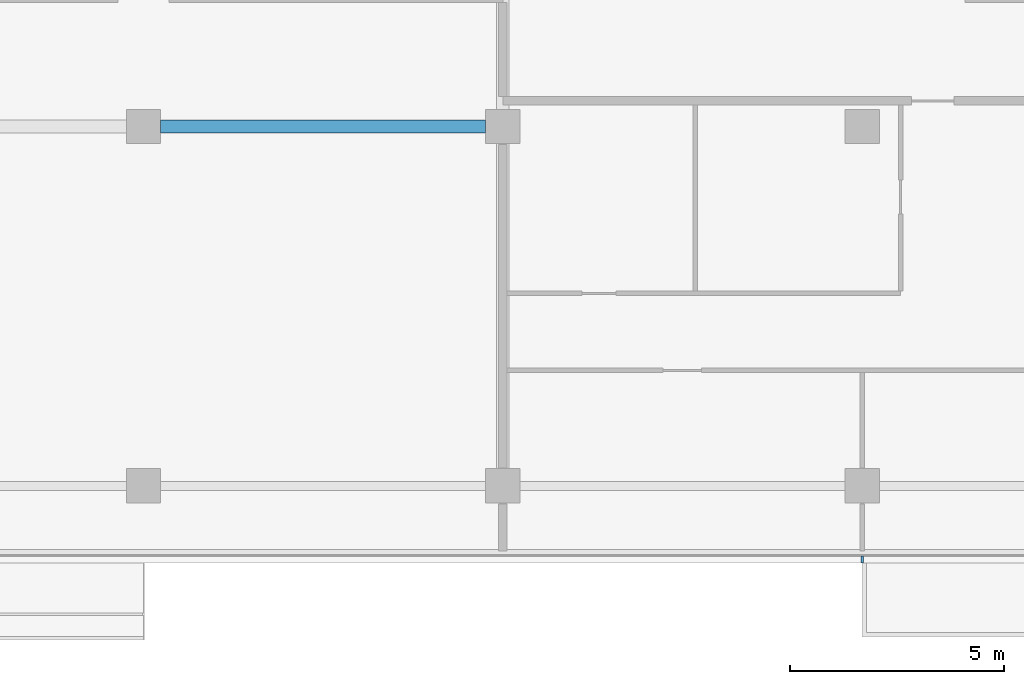
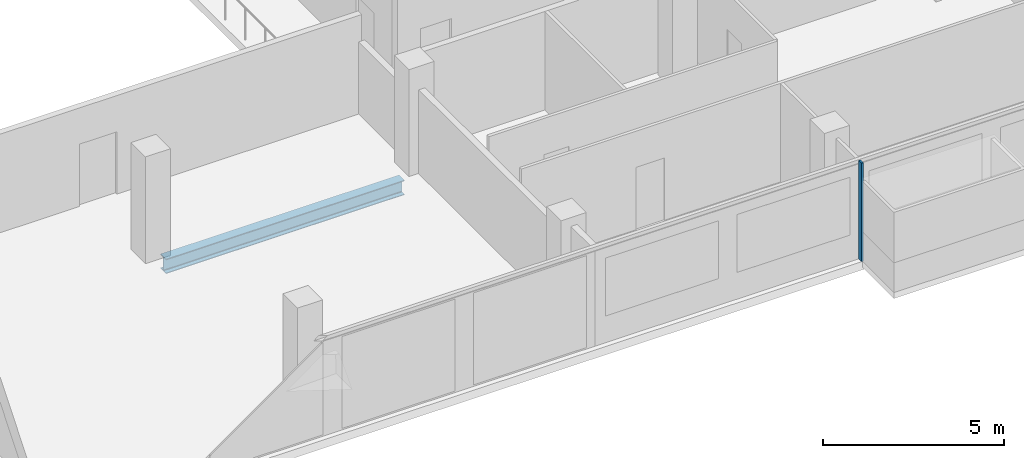
# One storey, part 6 of 26: 1 beam, 1 member, 1 element without a shape of its own.
"""IFC4 building model written with IfcOpenShell, lengths in metres."""

from ifc_helpers import new_model, si_unit, direction, frame, origin, origin_2d, place, context, subcontext, project, spatial, rectangle, i_section, extrude, material, material_profile, profile_set, type_object, element, aggregate, save


model = new_model("IFC4")

# Units and contexts
model_context = context("Model", 3, precision=1e-05, world=origin(), true_north=direction((0.0, 1.0)))
body_context = subcontext(model_context, "Body", "Model", "MODEL_VIEW")
ifc_project = project(units=[si_unit("LENGTHUNIT", "METRE"), si_unit("AREAUNIT", "SQUARE_METRE"), si_unit("VOLUMEUNIT", "CUBIC_METRE"), si_unit("PLANEANGLEUNIT", "RADIAN"), si_unit("MASSUNIT", "GRAM", prefix="KILO")], contexts=[model_context])

# Site, building, storey
site_placement = place(None, origin())
site = spatial("IfcSite", under=ifc_project, at=site_placement, CompositionType="ELEMENT")
building_placement = place(site_placement, origin())
building = spatial("IfcBuilding", under=site, at=building_placement, Name="Saffron Gate Tower", CompositionType="ELEMENT")
storey_placement = place(building_placement, frame((0.0, 0.0, 98.85009765625)))
storey = spatial("IfcBuildingStorey", under=building, at=storey_placement, Name="L22", CompositionType="ELEMENT", Elevation=98.85009765625)

# Beam
ifc_material_1 = material(Name="Structural steel S355", Category="steel")
ifc_material_profile_1 = material_profile(ifc_material_1, i_section(OverallWidth=0.300048828125, OverallDepth=0.489990234375, WebThickness=0.011962890625, FlangeThickness=0.02294921875, FilletRadius=0.027099609375, at=origin_2d()))
ifc_profile_set_1 = profile_set([ifc_material_profile_1], Name="Structural steel S355")
beam_type = type_object("IfcBeamType", Name="B8 HEA 500", PredefinedType="BEAM", material=ifc_profile_set_1)
beam_placement = place(storey_placement, frame((92.199951171875, 40.199951171875, -0.525146484375), z_axis=(1.0, 0.0, 0.0), x_axis=(0.0, 1.0, 0.0)))
element("IfcBeam", 1, at=beam_placement, inside=storey, type_object=beam_type, Name="B8 FLOOR GIRDER", PredefinedType="BEAM", context=body_context, shape_type="SweptSolid", body=[
    extrude(i_section(OverallWidth=0.300048828125, OverallDepth=0.489990234375, WebThickness=0.011962890625, FlangeThickness=0.02294921875, FilletRadius=0.027099609375, at=origin_2d()), origin(), (0.0, 0.0, 1.0), 7.60009765625),
])

# Curtain wall, member
ifc_material_2 = material(Name="Aluminium, bronze anodised", Category="aluminium")
curtain_wall_type = type_object("IfcCurtainWallType", Name="CWS1 curtain wall front facade", PredefinedType="NOTDEFINED", material=ifc_material_2)
curtain_wall_placement = place(storey_placement, origin())
curtain_wall = element("IfcCurtainWall", 2, at=curtain_wall_placement, inside=storey, type_object=curtain_wall_type, Name="CWS1 run 1", PredefinedType="NOTDEFINED")
ifc_material_profile_2 = material_profile(ifc_material_2, rectangle(XDim=0.159912109375, YDim=0.06005859375, at=origin_2d()))
ifc_profile_set_2 = profile_set([ifc_material_profile_2], Name="Aluminium, bronze anodised")
member_type = type_object("IfcMemberType", Name="CWS1 mullion 60x160", PredefinedType="MULLION", material=ifc_profile_set_2)
member_placement = place(storey_placement, frame((108.60009765625, 30.080078125, 0.0), z_axis=(0.0, 0.0, 1.0), x_axis=(0.0, 1.0, 0.0)))
member = element("IfcMember", 3, at=member_placement, type_object=member_type, Name="CWS1 mullion 8", PredefinedType="MULLION", context=body_context, shape_type="SweptSolid", body=[
    extrude(rectangle(XDim=0.159912109375, YDim=0.06005859375, at=origin_2d()), origin(), (0.0, 0.0, 1.0), 3.31982421875),
])
aggregate(curtain_wall, [member])

save(model, "model.ifc")
